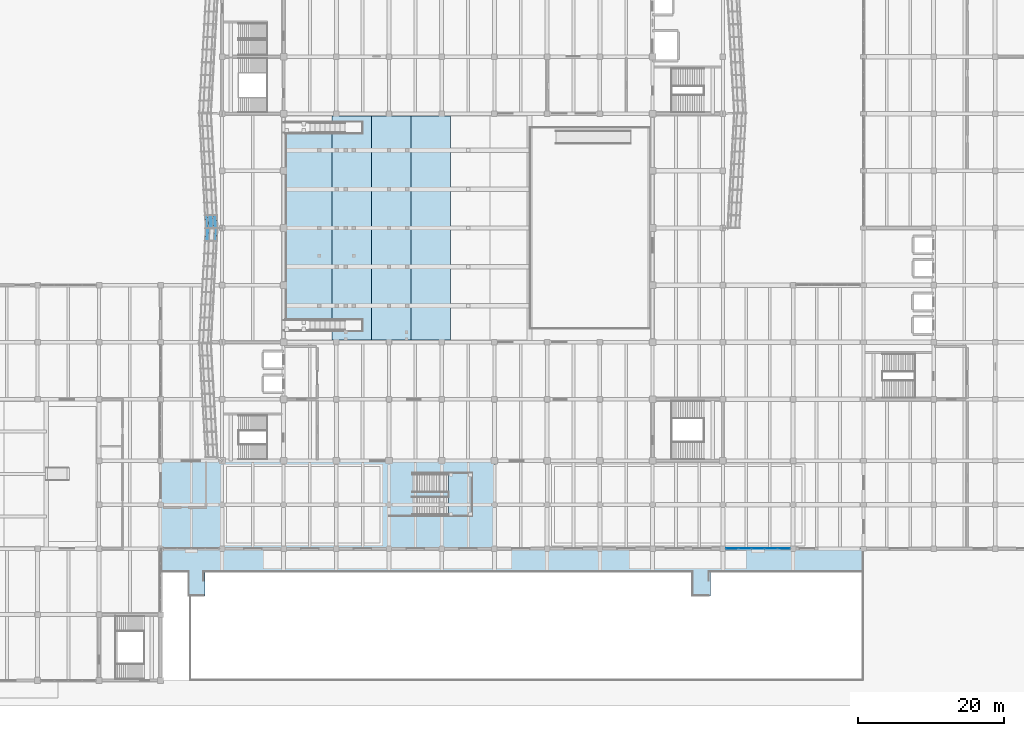
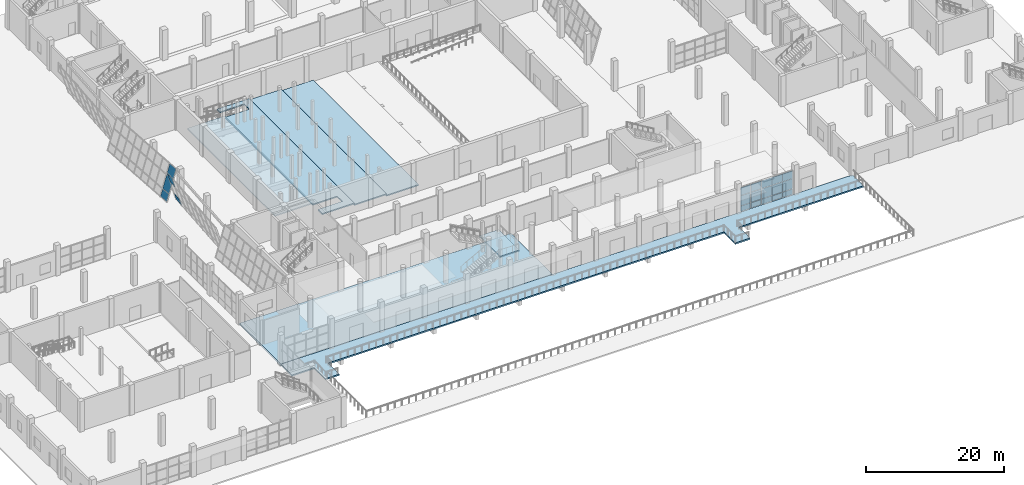
# One storey, part 49 of 78: 20 plates, 7 slabs, 4 elements without a shape of their own.
"""IFC4 building model written with IfcOpenShell, lengths in metres."""

from ifc_helpers import new_model, si_unit, direction, frame, origin, place, context, subcontext, project, spatial, polyline, outline, extrude, material, layer, layer_set, type_object, element, aggregate, save


model = new_model("IFC4")

# Units and contexts
model_context = context("Model", 3, precision=1e-05, world=origin(), true_north=direction((0.0, 1.0)))
body_context = subcontext(model_context, "Body", "Model", "MODEL_VIEW")
ifc_project = project(units=[si_unit("LENGTHUNIT", "METRE"), si_unit("AREAUNIT", "SQUARE_METRE"), si_unit("VOLUMEUNIT", "CUBIC_METRE"), si_unit("PLANEANGLEUNIT", "RADIAN"), si_unit("MASSUNIT", "GRAM", prefix="KILO")], contexts=[model_context])

# Site, building, storey
site_placement = place(None, origin())
site = spatial("IfcSite", under=ifc_project, at=site_placement, CompositionType="ELEMENT")
building_placement = place(site_placement, origin())
building = spatial("IfcBuilding", under=site, at=building_placement, Name="Pellamere Symphony Hall", CompositionType="ELEMENT")
storey_placement = place(building_placement, origin())
storey = spatial("IfcBuildingStorey", under=building, at=storey_placement, Name="L00", CompositionType="ELEMENT", Elevation=0.0)

# Curtain wall, plates
ifc_material_1 = material(Name="Thermally Broken Anodised Aluminium 6063-T6 Curtain Wall", Category="aluminium")
curtain_wall_type_1 = type_object("IfcCurtainWallType", Name="Curtain Wall CW-01 (Tilted Faceted Crystal Low-Iron Curtain Wall)", PredefinedType="NOTDEFINED", material=ifc_material_1)
curtain_wall_1_placement = place(storey_placement, origin())
curtain_wall_1 = element("IfcCurtainWall", 1, at=curtain_wall_1_placement, inside=storey, type_object=curtain_wall_type_1, Name="Crystal Faceted Curtain Wall CW-CR16 (L00)", PredefinedType="NOTDEFINED")
ifc_material_2 = material(Name="Pre-Weathered Quartz-Zinc Faceted Cladding Cassette", Category="aluminium")
ifc_layer_1 = layer(ifc_material_2, 0.0400390625, Name="Pre-Weathered Quartz-Zinc Faceted Cladding Cassette")
ifc_layer_set_1 = layer_set([ifc_layer_1], Name="Pre-Weathered Quartz-Zinc Faceted Cladding Cassette")
plate_type_1 = type_object("IfcPlateType", Name="Facade Panel CL-01 40mm", PredefinedType="CURTAIN_PANEL", material=ifc_layer_set_1)
plate_1_placement = place(storey_placement, frame((48.07373046875, 63.507080078125, 0.072021484375), z_axis=(-0.957366295188, -0.054913247712, 0.283609435782), x_axis=(0.05727052215, -0.998358696502, 2.0271568e-05)))
plate_1 = element("IfcPlate", 2, at=plate_1_placement, type_object=plate_type_1, Name="CW1-042 crystal glass panel 9.1", PredefinedType="CURTAIN_PANEL", context=body_context, shape_type="SweptSolid", body=[
    extrude(outline(polyline([(0.0, 0.0), (1.6350141907519138, -3.469446951953614e-18), (1.6551864231415843, 1.2388208652415942), (0.020186214450742226, 1.2388899919099157), (0.0, 0.0)])), origin(), (0.0, 0.0, -1.0), 0.0400390625),
])
plate_2_placement = place(storey_placement, frame((48.447021484375, 63.507080078125, 1.33203125), z_axis=(-0.957371256991, -0.054913532315, 0.283592630823), x_axis=(0.057270521441, -0.998358696543, 2.0270472e-05)))
plate_2 = element("IfcPlate", 3, at=plate_2_placement, type_object=plate_type_1, Name="CW1-042 crystal glass panel 9.2", PredefinedType="CURTAIN_PANEL", context=body_context, shape_type="SweptSolid", body=[
    extrude(outline(polyline([(0.0, 0.0), (1.6350141907518703, -3.469446951953614e-18), (1.6723069158526322, 2.2900284939226454), (0.03730670716166064, 2.290097616494944), (0.0, 0.0)])), origin(), (0.0, 0.0, -1.0), 0.0400390625),
])
plate_3_placement = place(storey_placement, frame((49.118896484375, 63.507080078125, 3.599853515625), z_axis=(-0.957372897815, -0.054842031089, 0.283600927634), x_axis=(0.057190120561, -0.998363305671, 0.0)))
plate_3 = element("IfcPlate", 4, at=plate_3_placement, type_object=plate_type_1, Name="CW1-042 crystal glass panel 9.3", PredefinedType="CURTAIN_PANEL", context=body_context, shape_type="SweptSolid", body=[
    extrude(outline(polyline([(0.0, 0.0), (1.6350002143288105, -3.469446951953614e-18), (1.6642794337664981, 1.8022683075474615), (0.029279219437687767, 1.8022683075474615), (0.0, 0.0)])), origin(), (0.0, 0.0, -1.0), 0.0400390625),
])
aggregate(curtain_wall_1, [plate_1, plate_2, plate_3])

curtain_wall_type_2 = type_object("IfcCurtainWallType", Name="Curtain Wall CW-02 (Winter-Garden South Concourse Curtain Wall)", PredefinedType="NOTDEFINED", material=ifc_material_1)
curtain_wall_2_placement = place(storey_placement, origin())
curtain_wall_2 = element("IfcCurtainWall", 5, at=curtain_wall_2_placement, inside=storey, type_object=curtain_wall_type_2, Name="Winter-Garden South Curtain Wall (L00 Bay 11)", PredefinedType="NOTDEFINED")
ifc_material_3 = material(Name="Triple Low-E Argon Acoustic Glazing 36mm", Category="glass")
ifc_layer_2 = layer(ifc_material_3, 0.035888671875, Name="Triple Low-E Argon Acoustic Glazing 36mm")
ifc_layer_set_2 = layer_set([ifc_layer_2], Name="Triple Low-E Argon Acoustic Glazing 36mm")
plate_type_2 = type_object("IfcPlateType", Name="Facade Panel GL-01 36mm", PredefinedType="CURTAIN_PANEL", material=ifc_layer_set_2)
plate_4_placement = place(storey_placement, frame((119.239990234375, 18.0, 0.06494140625), z_axis=(0.0, -1.0, 0.0), x_axis=(1.0, 0.0, 0.0)))
plate_4 = element("IfcPlate", 6, at=plate_4_placement, type_object=plate_type_2, Name="CW2-065 crystal glass panel 1.1", PredefinedType="CURTAIN_PANEL", context=body_context, shape_type="SweptSolid", body=[
    extrude(outline(polyline([(0.0, 0.0), (1.672607421875, 0.0), (1.672607421875, 0.946533203125), (0.0, 0.946533203125), (0.0, 0.0)])), origin(), (0.0, 0.0, -1.0), 0.035888671875),
])
plate_5_placement = place(storey_placement, frame((119.239990234375, 18.0, 1.076416015625), z_axis=(0.0, -1.0, 0.0), x_axis=(1.0, 0.0, 0.0)))
plate_5 = element("IfcPlate", 7, at=plate_5_placement, type_object=plate_type_2, Name="CW2-065 crystal glass panel 1.2", PredefinedType="CURTAIN_PANEL", context=body_context, shape_type="SweptSolid", body=[
    extrude(outline(polyline([(0.0, 0.0), (1.672607421875, 0.0), (1.672607421875, 1.761962890625), (0.0, 1.761962890625), (0.0, 0.0)])), origin(), (0.0, 0.0, -1.0), 0.035888671875),
])
plate_6_placement = place(storey_placement, frame((119.239990234375, 18.0, 2.903564453125), z_axis=(0.0, -1.0, 0.0), x_axis=(1.0, 0.0, 0.0)))
plate_6 = element("IfcPlate", 8, at=plate_6_placement, type_object=plate_type_2, Name="CW2-065 crystal glass panel 1.3", PredefinedType="CURTAIN_PANEL", context=body_context, shape_type="SweptSolid", body=[
    extrude(outline(polyline([(0.0, 0.0), (1.672607421875, 0.0), (1.672607421875, 1.38134765625), (0.0, 1.38134765625), (0.0, 0.0)])), origin(), (0.0, 0.0, -1.0), 0.035888671875),
])
plate_7_placement = place(storey_placement, frame((120.9775390625, 18.0, 0.06494140625), z_axis=(0.0, -1.0, 0.0), x_axis=(1.0, 0.0, 0.0)))
plate_7 = element("IfcPlate", 9, at=plate_7_placement, type_object=plate_type_2, Name="CW2-065 crystal glass panel 2.1", PredefinedType="CURTAIN_PANEL", context=body_context, shape_type="SweptSolid", body=[
    extrude(outline(polyline([(0.0, 0.0), (1.705078125, 0.0), (1.705078125, 0.946533203125), (0.0, 0.946533203125), (0.0, 0.0)])), origin(), (0.0, 0.0, -1.0), 0.035888671875),
])
plate_8_placement = place(storey_placement, frame((120.9775390625, 18.0, 1.076416015625), z_axis=(0.0, -1.0, 0.0), x_axis=(1.0, 0.0, 0.0)))
plate_8 = element("IfcPlate", 10, at=plate_8_placement, type_object=plate_type_2, Name="CW2-065 crystal glass panel 2.2", PredefinedType="CURTAIN_PANEL", context=body_context, shape_type="SweptSolid", body=[
    extrude(outline(polyline([(0.0, 0.0), (1.705078125, 0.0), (1.705078125, 1.761962890625), (0.0, 1.761962890625), (0.0, 0.0)])), origin(), (0.0, 0.0, -1.0), 0.035888671875),
])
plate_9_placement = place(storey_placement, frame((120.9775390625, 18.0, 2.903564453125), z_axis=(0.0, -1.0, 0.0), x_axis=(1.0, 0.0, 0.0)))
plate_9 = element("IfcPlate", 11, at=plate_9_placement, type_object=plate_type_2, Name="CW2-065 crystal glass panel 2.3", PredefinedType="CURTAIN_PANEL", context=body_context, shape_type="SweptSolid", body=[
    extrude(outline(polyline([(0.0, 0.0), (1.705078125, 0.0), (1.705078125, 1.38134765625), (0.0, 1.38134765625), (0.0, 0.0)])), origin(), (0.0, 0.0, -1.0), 0.035888671875),
])
plate_10_placement = place(storey_placement, frame((122.74755859375, 18.0, 0.06494140625), z_axis=(0.0, -1.0, 0.0), x_axis=(1.0, 0.0, 0.0)))
plate_10 = element("IfcPlate", 12, at=plate_10_placement, type_object=plate_type_2, Name="CW2-065 crystal glass panel 3.1", PredefinedType="CURTAIN_PANEL", context=body_context, shape_type="SweptSolid", body=[
    extrude(outline(polyline([(0.0, 0.0), (1.704833984375, 0.0), (1.704833984375, 0.946533203125), (0.0, 0.946533203125), (0.0, 0.0)])), origin(), (0.0, 0.0, -1.0), 0.035888671875),
])
plate_11_placement = place(storey_placement, frame((122.74755859375, 18.0, 1.076416015625), z_axis=(0.0, -1.0, 0.0), x_axis=(1.0, 0.0, 0.0)))
plate_11 = element("IfcPlate", 13, at=plate_11_placement, type_object=plate_type_2, Name="CW2-065 crystal glass panel 3.2", PredefinedType="CURTAIN_PANEL", context=body_context, shape_type="SweptSolid", body=[
    extrude(outline(polyline([(0.0, 0.0), (1.704833984375, 0.0), (1.704833984375, 1.761962890625), (0.0, 1.761962890625), (0.0, 0.0)])), origin(), (0.0, 0.0, -1.0), 0.035888671875),
])
plate_12_placement = place(storey_placement, frame((122.74755859375, 18.0, 2.903564453125), z_axis=(0.0, -1.0, 0.0), x_axis=(1.0, 0.0, 0.0)))
plate_12 = element("IfcPlate", 14, at=plate_12_placement, type_object=plate_type_2, Name="CW2-065 crystal glass panel 3.3", PredefinedType="CURTAIN_PANEL", context=body_context, shape_type="SweptSolid", body=[
    extrude(outline(polyline([(0.0, 0.0), (1.704833984375, 0.0), (1.704833984375, 1.38134765625), (0.0, 1.38134765625), (0.0, 0.0)])), origin(), (0.0, 0.0, -1.0), 0.035888671875),
])
plate_13_placement = place(storey_placement, frame((124.517578125, 18.0, 0.06494140625), z_axis=(0.0, -1.0, 0.0), x_axis=(1.0, 0.0, 0.0)))
plate_13 = element("IfcPlate", 15, at=plate_13_placement, type_object=plate_type_2, Name="CW2-065 crystal glass panel 4.1", PredefinedType="CURTAIN_PANEL", context=body_context, shape_type="SweptSolid", body=[
    extrude(outline(polyline([(0.0, 0.0), (1.704833984375, 0.0), (1.704833984375, 0.946533203125), (0.0, 0.946533203125), (0.0, 0.0)])), origin(), (0.0, 0.0, -1.0), 0.035888671875),
])
plate_14_placement = place(storey_placement, frame((124.517578125, 18.0, 1.076416015625), z_axis=(0.0, -1.0, 0.0), x_axis=(1.0, 0.0, 0.0)))
plate_14 = element("IfcPlate", 16, at=plate_14_placement, type_object=plate_type_2, Name="CW2-065 crystal glass panel 4.2", PredefinedType="CURTAIN_PANEL", context=body_context, shape_type="SweptSolid", body=[
    extrude(outline(polyline([(0.0, 0.0), (1.704833984375, 0.0), (1.704833984375, 1.761962890625), (0.0, 1.761962890625), (0.0, 0.0)])), origin(), (0.0, 0.0, -1.0), 0.035888671875),
])
plate_15_placement = place(storey_placement, frame((124.517578125, 18.0, 2.903564453125), z_axis=(0.0, -1.0, 0.0), x_axis=(1.0, 0.0, 0.0)))
plate_15 = element("IfcPlate", 17, at=plate_15_placement, type_object=plate_type_2, Name="CW2-065 crystal glass panel 4.3", PredefinedType="CURTAIN_PANEL", context=body_context, shape_type="SweptSolid", body=[
    extrude(outline(polyline([(0.0, 0.0), (1.704833984375, 0.0), (1.704833984375, 1.38134765625), (0.0, 1.38134765625), (0.0, 0.0)])), origin(), (0.0, 0.0, -1.0), 0.035888671875),
])
plate_16_placement = place(storey_placement, frame((126.28759765625, 18.0, 0.06494140625), z_axis=(0.0, -1.0, 0.0), x_axis=(1.0, 0.0, 0.0)))
plate_16 = element("IfcPlate", 18, at=plate_16_placement, type_object=plate_type_2, Name="CW2-065 crystal glass panel 5.1", PredefinedType="CURTAIN_PANEL", context=body_context, shape_type="SweptSolid", body=[
    extrude(outline(polyline([(0.0, 0.0), (1.67236328125, 0.0), (1.67236328125, 0.946533203125), (0.0, 0.946533203125), (0.0, 0.0)])), origin(), (0.0, 0.0, -1.0), 0.035888671875),
])
plate_17_placement = place(storey_placement, frame((126.28759765625, 18.0, 1.076416015625), z_axis=(0.0, -1.0, 0.0), x_axis=(1.0, 0.0, 0.0)))
plate_17 = element("IfcPlate", 19, at=plate_17_placement, type_object=plate_type_2, Name="CW2-065 crystal glass panel 5.2", PredefinedType="CURTAIN_PANEL", context=body_context, shape_type="SweptSolid", body=[
    extrude(outline(polyline([(0.0, 0.0), (1.67236328125, 0.0), (1.67236328125, 1.761962890625), (0.0, 1.761962890625), (0.0, 0.0)])), origin(), (0.0, 0.0, -1.0), 0.035888671875),
])
plate_18_placement = place(storey_placement, frame((126.28759765625, 18.0, 2.903564453125), z_axis=(0.0, -1.0, 0.0), x_axis=(1.0, 0.0, 0.0)))
plate_18 = element("IfcPlate", 20, at=plate_18_placement, type_object=plate_type_2, Name="CW2-065 crystal glass panel 5.3", PredefinedType="CURTAIN_PANEL", context=body_context, shape_type="SweptSolid", body=[
    extrude(outline(polyline([(0.0, 0.0), (1.67236328125, 0.0), (1.67236328125, 1.38134765625), (0.0, 1.38134765625), (0.0, 0.0)])), origin(), (0.0, 0.0, -1.0), 0.035888671875),
])
aggregate(curtain_wall_2, [plate_4, plate_5, plate_6, plate_7, plate_8, plate_9, plate_10, plate_11, plate_12, plate_13, plate_14, plate_15, plate_16, plate_17, plate_18])

curtain_wall_3_placement = place(storey_placement, origin())
curtain_wall_3 = element("IfcCurtainWall", 21, at=curtain_wall_3_placement, inside=storey, type_object=curtain_wall_type_1, Name="Crystal Faceted Curtain Wall CW-CR17 (L00)", PredefinedType="NOTDEFINED")
ifc_material_4 = material(Name="Triple Laminated Acoustic Crystal Glazing 42mm", Category="glass")
ifc_layer_3 = layer(ifc_material_4, 0.0419921875, Name="Triple Laminated Acoustic Crystal Glazing 42mm")
ifc_layer_set_3 = layer_set([ifc_layer_3], Name="Triple Laminated Acoustic Crystal Glazing 42mm")
plate_type_3 = type_object("IfcPlateType", Name="Facade Panel GL-02 42mm", PredefinedType="CURTAIN_PANEL", material=ifc_layer_set_3)
plate_19_placement = place(storey_placement, frame((49.724365234375, 61.72509765625, 0.072021484375), z_axis=(0.957365863308, -0.054921437334, 0.283609307842), x_axis=(-0.057267088164, -0.998358893486, -2.0274745e-05)))
plate_19 = element("IfcPlate", 22, at=plate_19_placement, type_object=plate_type_3, Name="CW1-047 crystal glass panel 1.1", PredefinedType="CURTAIN_PANEL", context=body_context, shape_type="SweptSolid", body=[
    extrude(outline(polyline([(0.0, 0.0), (1.6347564691697394, 3.469446951953614e-18), (1.65489330613775, -1.2388907954720376), (0.020122855745314368, -1.2388216682776338), (0.0, 0.0)])), origin(), (0.0, 0.0, -1.0), 0.0419921875),
])
plate_20_placement = place(storey_placement, frame((48.67919921875, 61.72509765625, 3.599853515625), z_axis=(0.957387062339, -0.054922653464, 0.283537501934), x_axis=(-0.057267091195, -0.998358893312, -2.0270061e-05)))
plate_20 = element("IfcPlate", 23, at=plate_20_placement, type_object=plate_type_3, Name="CW1-047 crystal glass panel 1.3", PredefinedType="CURTAIN_PANEL", context=body_context, shape_type="SweptSolid", body=[
    extrude(outline(polyline([(0.0, 0.0), (1.6347564691695544, 0.0), (1.6640400625469665, -1.80226823269499), (0.029269612153975732, -1.8021991230026244), (0.0, 0.0)])), origin(), (0.0, 0.0, -1.0), 0.0419921875),
])
aggregate(curtain_wall_3, [plate_19, plate_20])

# Stair, slab
ifc_material_5 = material(Name="Architectural warm-pigmented concrete 40 MPa", Category="concrete")
stair_type = type_object("IfcStairType", Name="Stair ST-F W2400", PredefinedType="HALF_TURN_STAIR", material=ifc_material_5)
stair_placement = place(storey_placement, origin())
stair = element("IfcStair", 24, at=stair_placement, inside=storey, type_object=stair_type, Name="Winter-Garden Feature Stair L00 to L01", PredefinedType="HALF_TURN_STAIR")
ifc_layer_4 = layer(ifc_material_5, 0.239990234375, Name="Architectural warm-pigmented concrete 40 MPa")
ifc_layer_set_4 = layer_set([ifc_layer_4], Name="Architectural warm-pigmented concrete 40 MPa")
slab_type_1 = type_object("IfcSlabType", Name="Stair Landing SL-02 240mm", PredefinedType="LANDING", material=ifc_layer_set_4)
slab_1_placement = place(storey_placement, frame((0.0, 0.0, 2.4599609375)))
slab_1 = element("IfcSlab", 25, at=slab_1_placement, type_object=slab_type_1, Name="Feature Stair Mid Landing (L00)", PredefinedType="LANDING", context=body_context, shape_type="SweptSolid", body=[
    extrude(outline(polyline([(81.360107421875, 22.39990234375), (84.60009765625, 22.39990234375), (84.60009765625, 28.39990234375), (81.360107421875, 28.39990234375), (81.360107421875, 22.39990234375)])), origin(), (0.0, 0.0, 1.0), 0.239990234375),
])
aggregate(stair, [slab_1])

# Slabs
ifc_material_6 = material(Name="Concrete 35 MPa", Category="concrete")
ifc_layer_5 = layer(ifc_material_6, 0.25, Name="Concrete 35 MPa")
ifc_layer_set_5 = layer_set([ifc_layer_5], Name="Concrete 35 MPa")
slab_type_2 = type_object("IfcSlabType", Name="Structural Slab AP-01 250mm", PredefinedType="USERDEFINED", material=ifc_layer_set_5)
slab_2_placement = place(storey_placement, frame((0.0, 0.0, -0.25)))
element("IfcSlab", 26, at=slab_2_placement, inside=storey, type_object=slab_type_2, Name="Entrance Porch Deck and Forecourt Promenade", ObjectType="PAVING DECK", PredefinedType="USERDEFINED", context=body_context, shape_type="SweptSolid", body=[
    extrude(outline(polyline([(48.10009765625, 11.550048828125), (45.800048828125, 11.550048828125), (45.800048828125, 14.800048828125), (42.0, 14.800048828125), (42.0, 18.0), (138.0, 18.0), (138.0, 14.800048828125), (117.10009765625, 14.800048828125), (117.10009765625, 11.550048828125), (114.60009765625, 11.550048828125), (114.60009765625, 14.800048828125), (48.10009765625, 14.800048828125), (48.10009765625, 11.550048828125)])), origin(), (0.0, 0.0, 1.0), 0.25),
])
ifc_material_7 = material(Name="Concrete 40 MPa", Category="concrete")
ifc_layer_6 = layer(ifc_material_7, 0.320068359375, Name="Concrete 40 MPa")
ifc_layer_set_6 = layer_set([ifc_layer_6], Name="Concrete 40 MPa")
slab_type_3 = type_object("IfcSlabType", Name="Structural Slab FS-01 320mm", PredefinedType="FLOOR", material=ifc_layer_set_6)
slab_3_placement = place(storey_placement, frame((0.0, 0.0, -0.320068359375)))
element("IfcSlab", 27, at=slab_3_placement, inside=storey, type_object=slab_type_3, Name="Floor Slab L00-V4W-1", PredefinedType="FLOOR", context=body_context, shape_type="SweptSolid", body=[
    extrude(outline(polyline([(87.60009765625, 30.0), (87.60009765625, 18.0), (42.0, 18.0), (42.0, 30.0), (50.39990234375, 30.0), (58.800048828125, 30.0), (87.60009765625, 30.0)])), origin(), (0.0, 0.0, 1.0), 0.320068359375),
])
ifc_material_8 = material(Name="Precast concrete 40 MPa", Category="concrete")
ifc_layer_7 = layer(ifc_material_8, 0.219970703125, Name="Precast concrete 40 MPa")
ifc_layer_set_7 = layer_set([ifc_layer_7], Name="Precast concrete 40 MPa")
slab_type_4 = type_object("IfcSlabType", Name="Structural Slab ST-T1 220mm", PredefinedType="USERDEFINED", material=ifc_layer_set_7)
slab_4_placement = place(storey_placement, frame((0.0, 0.0, 0.530029296875)))
element("IfcSlab", 28, at=slab_4_placement, inside=storey, type_object=slab_type_4, Name="Stand Main Stalls Bay 3", ObjectType="SEATING TIER", PredefinedType="USERDEFINED", context=body_context, shape_type="SweptSolid", body=[
    extrude(outline(polyline([(76.199951171875, 46.5), (76.199951171875, 77.10009765625), (81.60009765625, 77.10009765625), (81.60009765625, 46.5), (76.199951171875, 46.5)])), origin(), (0.0, 0.0, 1.0), 0.219970703125),
])
slab_5_placement = place(storey_placement, frame((0.0, 0.0, 0.780029296875)))
element("IfcSlab", 29, at=slab_5_placement, inside=storey, type_object=slab_type_4, Name="Stand Main Stalls Bay 4", ObjectType="SEATING TIER", PredefinedType="USERDEFINED", context=body_context, shape_type="SweptSolid", body=[
    extrude(outline(polyline([(70.800048828125, 46.5), (70.800048828125, 77.10009765625), (76.199951171875, 77.10009765625), (76.199951171875, 46.5), (70.800048828125, 46.5)])), origin(), (0.0, 0.0, 1.0), 0.219970703125),
])
slab_6_placement = place(storey_placement, frame((0.0, 0.0, 1.030029296875)))
element("IfcSlab", 30, at=slab_6_placement, inside=storey, type_object=slab_type_4, Name="Stand Main Stalls Bay 5", ObjectType="SEATING TIER", PredefinedType="USERDEFINED", context=body_context, shape_type="SweptSolid", body=[
    extrude(outline(polyline([(65.39990234375, 77.10009765625), (70.800048828125, 77.10009765625), (70.800048828125, 46.5), (65.39990234375, 46.5), (65.39990234375, 47.75), (69.5, 47.75), (69.5, 49.25), (65.39990234375, 49.25), (65.39990234375, 74.75), (69.5, 74.75), (69.5, 76.25), (65.39990234375, 76.25), (65.39990234375, 77.10009765625)])), origin(), (0.0, 0.0, 1.0), 0.219970703125),
])
slab_7_placement = place(storey_placement, frame((0.0, 0.0, 1.280029296875)))
element("IfcSlab", 31, at=slab_7_placement, inside=storey, type_object=slab_type_4, Name="Stand Main Stalls Bay 6", ObjectType="SEATING TIER", PredefinedType="USERDEFINED", context=body_context, shape_type="SweptSolid", body=[
    extrude(outline(polyline([(65.39990234375, 49.25), (59.050048828125, 49.25), (59.050048828125, 74.75), (65.39990234375, 74.75), (65.39990234375, 49.25)])), origin(), (0.0, 0.0, 1.0), 0.219970703125),
])

save(model, "model.ifc")
